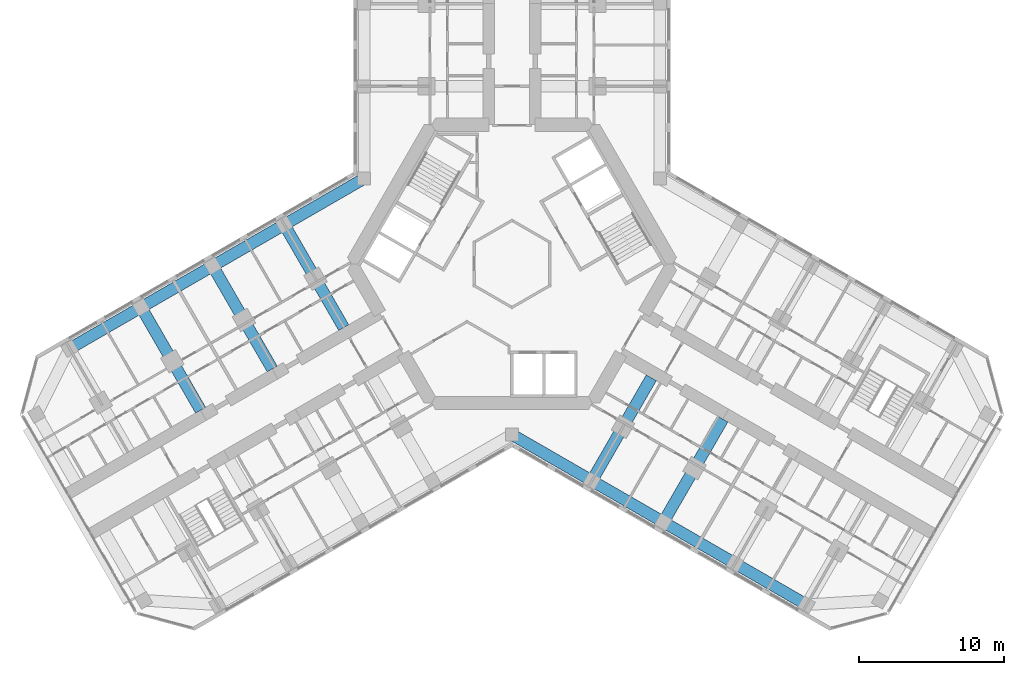
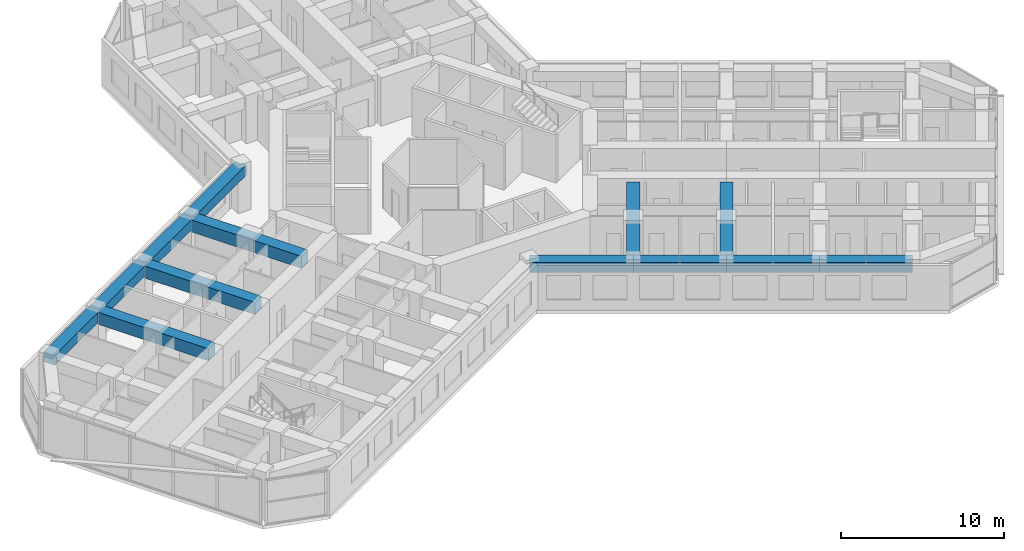
# One storey, part 4 of 20: 13 beams.
"""IFC4 building model written with IfcOpenShell, lengths in metres."""

from ifc_helpers import new_model, si_unit, direction, frame, origin, origin_2d, place, context, subcontext, project, spatial, rectangle, extrude, material, material_profile, profile_set, type_object, element, save


model = new_model("IFC4")

# Units and contexts
model_context = context("Model", 3, precision=1e-05, world=origin(), true_north=direction((0.0, 1.0)))
body_context = subcontext(model_context, "Body", "Model", "MODEL_VIEW")
ifc_project = project(units=[si_unit("LENGTHUNIT", "METRE"), si_unit("AREAUNIT", "SQUARE_METRE"), si_unit("VOLUMEUNIT", "CUBIC_METRE"), si_unit("PLANEANGLEUNIT", "RADIAN"), si_unit("MASSUNIT", "GRAM", prefix="KILO")], contexts=[model_context])

# Site, building, storey
site_placement = place(None, origin())
site = spatial("IfcSite", under=ifc_project, at=site_placement, CompositionType="ELEMENT")
building_placement = place(site_placement, origin())
building = spatial("IfcBuilding", under=site, at=building_placement, Name="Kosmar Iwan School Tower", CompositionType="ELEMENT")
storey_placement = place(building_placement, frame((0.0, 0.0, 176.0)))
storey = spatial("IfcBuildingStorey", under=building, at=storey_placement, Name="L44", CompositionType="ELEMENT", Elevation=176.0)

# Beams
ifc_material_1 = material(Name="Concrete C50/60", Category="concrete")
ifc_material_profile_1 = material_profile(ifc_material_1, rectangle(XDim=0.800048828125, YDim=0.75, at=origin_2d()), Name="RC 800x750")
ifc_profile_set_1 = profile_set([ifc_material_profile_1], Name="Concrete C50/60")
beam_type_1 = type_object("IfcBeamType", Name="RC edge beam 800x750", PredefinedType="BEAM", material=ifc_profile_set_1)
beam_1_placement = place(storey_placement, frame((-10.199951171875, 5.888916015625, 2.97509765625), z_axis=(-0.866030912664, -0.49999045822, 0.0), x_axis=(0.49999045822, -0.866030912664, 0.0)))
element("IfcBeam", 1, at=beam_1_placement, inside=storey, type_object=beam_type_1, Name="Edge beam BR1", PredefinedType="BEAM", context=body_context, shape_type="SweptSolid", body=[
    extrude(rectangle(XDim=0.800048828125, YDim=0.75, at=origin_2d()), origin(), (0.0, 0.0, 1.0), 6.36083984375),
])
beam_2_placement = place(storey_placement, frame((-15.708740234375, 2.70849609375, 2.97509765625), z_axis=(-0.866025820012, -0.499999279071, 0.0), x_axis=(0.499999279071, -0.866025820012, 0.0)))
element("IfcBeam", 2, at=beam_2_placement, inside=storey, type_object=beam_type_1, Name="Edge beam BR2", PredefinedType="BEAM", context=body_context, shape_type="SweptSolid", body=[
    extrude(rectangle(XDim=0.800048828125, YDim=0.75, at=origin_2d()), origin(), (0.0, 0.0, 1.0), 5.7001953125),
])
for number, where, z_axis, x_axis, name in (
    (3, (-20.645263671875, -0.1416015625, 2.97509765625), (-0.866033658841, -0.49998570155, 0.0), (0.49998570155, -0.866033658841, 0.0), "Edge beam BR3"),
    (4, (-25.58154296875, -2.991455078125, 2.97509765625), (-0.866015111908, -0.50001782563, 0.0), (0.50001782563, -0.866015111908, 0.0), "Edge beam BR4"),
):
    element("IfcBeam", number, at=place(storey_placement, frame(where, z_axis=z_axis, x_axis=x_axis)), inside=storey, type_object=beam_type_1, Name=name, PredefinedType="BEAM", context=body_context, shape_type="SweptSolid", body=[
        extrude(rectangle(XDim=0.800048828125, YDim=0.75, at=origin_2d()), origin(), (0.0, 0.0, 1.0), 5.699951171875),
    ])
beam_3_placement = place(storey_placement, frame((0.0, -11.77783203125, 2.97509765625), z_axis=(0.866014293216, -0.500019243575, 0.0), x_axis=(0.500019243575, 0.866014293216, 0.0)))
element("IfcBeam", 5, at=beam_3_placement, inside=storey, type_object=beam_type_1, Name="Edge beam CR1", PredefinedType="BEAM", context=body_context, shape_type="SweptSolid", body=[
    extrude(rectangle(XDim=0.800048828125, YDim=0.75, at=origin_2d()), origin(), (0.0, 0.0, 1.0), 6.361083984375),
])
beam_4_placement = place(storey_placement, frame((5.5087890625, -14.95849609375, 2.97509765625), z_axis=(0.866033658841, -0.49998570155, 0.0), x_axis=(0.49998570155, 0.866033658841, 0.0)))
element("IfcBeam", 6, at=beam_4_placement, inside=storey, type_object=beam_type_1, Name="Edge beam CR2", PredefinedType="BEAM", context=body_context, shape_type="SweptSolid", body=[
    extrude(rectangle(XDim=0.800048828125, YDim=0.75, at=origin_2d()), origin(), (0.0, 0.0, 1.0), 5.699951171875),
])
beam_5_placement = place(storey_placement, frame((10.445068359375, -17.808349609375, 2.97509765625), z_axis=(0.866025820012, -0.499999279071, 0.0), x_axis=(0.499999279071, 0.866025820012, 0.0)))
element("IfcBeam", 7, at=beam_5_placement, inside=storey, type_object=beam_type_1, Name="Edge beam CR3", PredefinedType="BEAM", context=body_context, shape_type="SweptSolid", body=[
    extrude(rectangle(XDim=0.800048828125, YDim=0.75, at=origin_2d()), origin(), (0.0, 0.0, 1.0), 5.7001953125),
])
beam_6_placement = place(storey_placement, frame((15.381591796875, -20.658447265625, 2.97509765625), z_axis=(0.866015111908, -0.50001782563, 0.0), x_axis=(0.50001782563, 0.866015111908, 0.0)))
element("IfcBeam", 8, at=beam_6_placement, inside=storey, type_object=beam_type_1, Name="Edge beam CR4", PredefinedType="BEAM", context=body_context, shape_type="SweptSolid", body=[
    extrude(rectangle(XDim=0.800048828125, YDim=0.75, at=origin_2d()), origin(), (0.0, 0.0, 1.0), 5.699951171875),
])
ifc_material_2 = material(Name="Concrete C50/60", Category="concrete")
ifc_material_profile_2 = material_profile(ifc_material_2, rectangle(XDim=0.800048828125, YDim=0.89990234375, at=origin_2d()), Name="RC 800x900")
ifc_profile_set_2 = profile_set([ifc_material_profile_2], Name="Concrete C50/60")
beam_type_2 = type_object("IfcBeamType", Name="RC transverse beam 800x900", PredefinedType="BEAM", material=ifc_profile_set_2)
for number, where, z_axis, x_axis, name in (
    (9, (-15.708740234375, 2.70849609375, 2.89990234375), (0.499978459874, -0.866037839625, 0.0), (0.866037839625, 0.499978459874, 0.0), "Transverse beam BR1"),
    (10, (-20.645263671875, -0.1416015625, 2.89990234375), (0.500013681986, -0.866017504342, 0.0), (0.866017504342, 0.500013681986, 0.0), "Transverse beam BR2"),
):
    element("IfcBeam", number, at=place(storey_placement, frame(where, z_axis=z_axis, x_axis=x_axis)), inside=storey, type_object=beam_type_2, Name=name, PredefinedType="BEAM", context=body_context, shape_type="SweptSolid", body=[
        extrude(rectangle(XDim=0.800048828125, YDim=0.89990234375, at=origin_2d()), origin(), (0.0, 0.0, 1.0), 8.199951171875),
    ])
for number, where, z_axis, x_axis, name in (
    (11, (-25.58154296875, -2.991455078125, 2.89990234375), (0.500000789788, -0.8660249478, 0.0), (0.8660249478, 0.500000789788, 0.0), "Transverse beam BR3"),
    (12, (5.5087890625, -14.95849609375, 2.89990234375), (0.500000789788, 0.8660249478, 0.0), (-0.8660249478, 0.500000789788, 0.0), "Transverse beam CR1"),
):
    element("IfcBeam", number, at=place(storey_placement, frame(where, z_axis=z_axis, x_axis=x_axis)), inside=storey, type_object=beam_type_2, Name=name, PredefinedType="BEAM", context=body_context, shape_type="SweptSolid", body=[
        extrude(rectangle(XDim=0.800048828125, YDim=0.89990234375, at=origin_2d()), origin(), (0.0, 0.0, 1.0), 8.2001953125),
    ])
beam_7_placement = place(storey_placement, frame((10.445068359375, -17.808349609375, 2.89990234375), z_axis=(0.500013681986, 0.866017504342, 0.0), x_axis=(-0.866017504342, 0.500013681986, 0.0)))
element("IfcBeam", 13, at=beam_7_placement, inside=storey, type_object=beam_type_2, Name="Transverse beam CR2", PredefinedType="BEAM", context=body_context, shape_type="SweptSolid", body=[
    extrude(rectangle(XDim=0.800048828125, YDim=0.89990234375, at=origin_2d()), origin(), (0.0, 0.0, 1.0), 8.199951171875),
])

save(model, "model.ifc")
